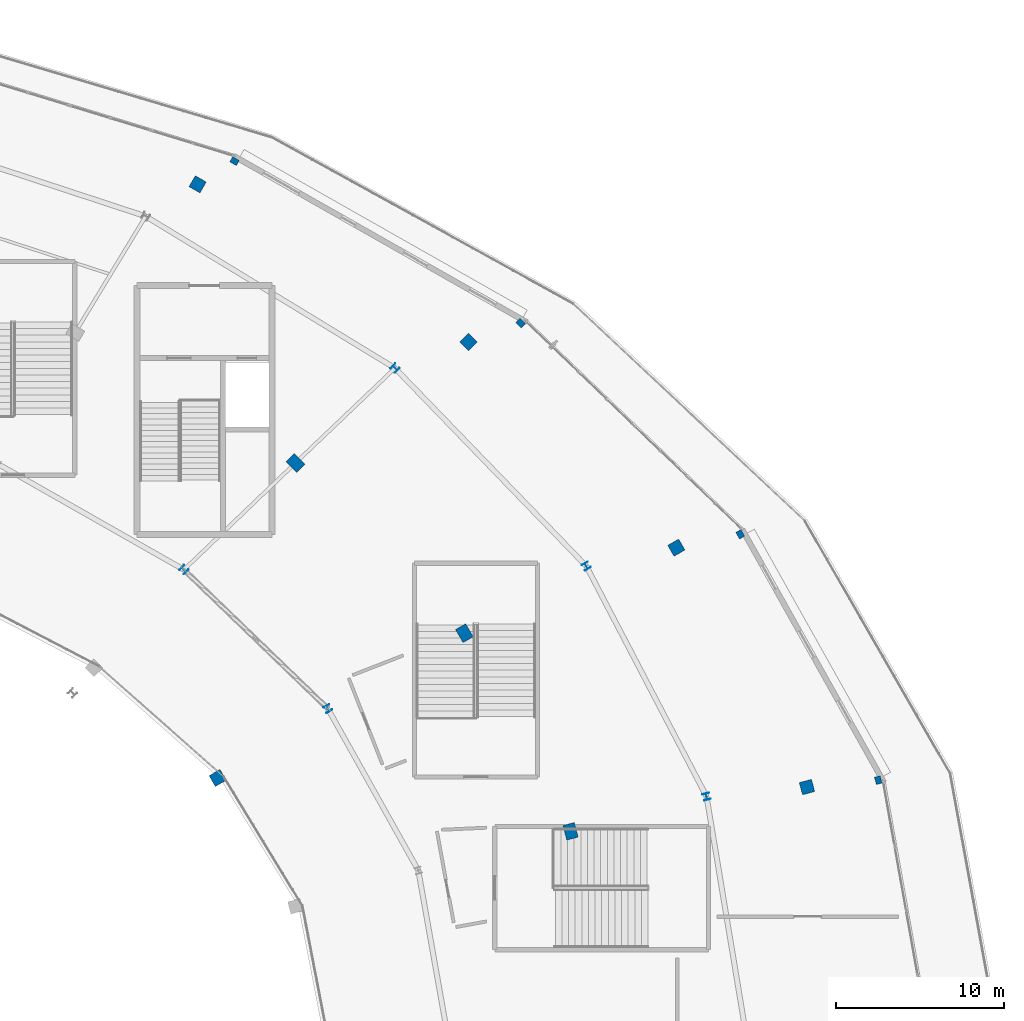
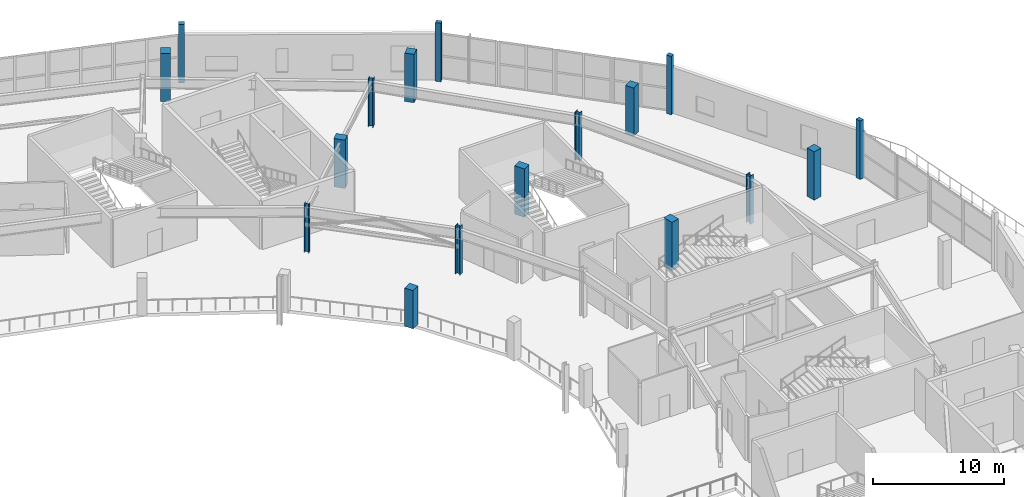
# One storey, part 15 of 123: 17 columns.
"""IFC4 building model written with IfcOpenShell, lengths in metres."""

from ifc_helpers import new_model, si_unit, direction, frame, origin, origin_2d, place, context, subcontext, project, spatial, rectangle, i_section, extrude, material, material_profile, profile_set, type_object, element, save


model = new_model("IFC4")

# Units and contexts
model_context = context("Model", 3, precision=1e-05, world=origin(), true_north=direction((0.0, 1.0)))
body_context = subcontext(model_context, "Body", "Model", "MODEL_VIEW")
ifc_project = project(units=[si_unit("LENGTHUNIT", "METRE"), si_unit("AREAUNIT", "SQUARE_METRE"), si_unit("VOLUMEUNIT", "CUBIC_METRE"), si_unit("PLANEANGLEUNIT", "RADIAN"), si_unit("MASSUNIT", "GRAM", prefix="KILO")], contexts=[model_context])

# Site, building, storey
site_placement = place(None, origin())
site = spatial("IfcSite", under=ifc_project, at=site_placement, CompositionType="ELEMENT")
building_placement = place(site_placement, origin())
building = spatial("IfcBuilding", under=site, at=building_placement, Name="Kalgoora Escarpment Arena", CompositionType="ELEMENT")
storey_placement = place(building_placement, frame((0.0, 0.0, 9.89990234375)))
storey = spatial("IfcBuildingStorey", under=building, at=storey_placement, Name="L02", CompositionType="ELEMENT", Elevation=9.89990234375)

# Columns
ifc_material_1 = material(Name="Structural steel Grade 350 (350 MPa)", Category="steel")
ifc_material_profile_1 = material_profile(ifc_material_1, i_section(OverallWidth=0.39990234375, OverallDepth=0.39990234375, WebThickness=0.01611328125, FlangeThickness=0.028076171875, at=origin_2d()))
ifc_profile_set_1 = profile_set([ifc_material_profile_1], Name="Structural steel Grade 350 (350 MPa)")
column_type_1 = type_object("IfcColumnType", Name="COL-COL-400WC212", PredefinedType="COLUMN", material=ifc_profile_set_1)
for number, where, z_axis, x_axis, name in (
    (1, (161.75341796875, 78.752685546875, 0.0), (0.0, 0.0, 1.0), (0.965925826289, 0.258819045103, 0.0), "L02 structural column COL-RCONC2-R02"),
    (2, (154.58056640625, 92.5, 0.0), (0.0, 0.0, 1.0), (0.866025403784, 0.5, 0.0), "L02 structural column COL-RCONC2-R03"),
    (3, (143.17041015625, 104.30517578125, 0.0), (0.0, 0.0, 1.0), (0.707106781187, 0.707106781187, 0.0), "L02 structural column COL-RCONC2-R04"),
):
    element("IfcColumn", number, at=place(storey_placement, frame(where, z_axis=z_axis, x_axis=x_axis)), inside=storey, type_object=column_type_1, Name=name, PredefinedType="COLUMN", context=body_context, shape_type="SweptSolid", body=[
        extrude(i_section(OverallWidth=0.39990234375, OverallDepth=0.39990234375, WebThickness=0.01611328125, FlangeThickness=0.028076171875, at=origin_2d()), origin(), (0.0, 0.0, 1.0), 4.5),
    ])
ifc_material_2 = material(Name="Structural steel Grade 350 (350 MPa)", Category="steel")
ifc_material_profile_2 = material_profile(ifc_material_2, i_section(OverallWidth=0.39990234375, OverallDepth=0.39990234375, WebThickness=0.01806640625, FlangeThickness=0.031982421875, at=origin_2d()))
ifc_profile_set_2 = profile_set([ifc_material_profile_2], Name="Structural steel Grade 350 (350 MPa)")
column_type_2 = type_object("IfcColumnType", Name="COL-COL-400WC270", PredefinedType="COLUMN", material=ifc_profile_set_2)
for number, where, z_axis, x_axis, name in (
    (4, (139.165283203125, 84.0, 0.0), (0.0, 0.0, 1.0), (0.866025403784, 0.5, 0.0), "L02 structural column COL-RMAIN-R03"),
    (5, (130.583740234375, 92.2841796875, 0.0), (0.0, 0.0, 1.0), (0.707106781187, 0.707106781187, 0.0), "L02 structural column COL-RMAIN-R04"),
):
    element("IfcColumn", number, at=place(storey_placement, frame(where, z_axis=z_axis, x_axis=x_axis)), inside=storey, type_object=column_type_2, Name=name, PredefinedType="COLUMN", context=body_context, shape_type="SweptSolid", body=[
        extrude(i_section(OverallWidth=0.39990234375, OverallDepth=0.39990234375, WebThickness=0.01806640625, FlangeThickness=0.031982421875, at=origin_2d()), origin(), (0.0, 0.0, 1.0), 4.5),
    ])
ifc_material_3 = material(Name="Concrete N50 (fc' 50 MPa)", Category="concrete")
ifc_material_profile_3 = material_profile(ifc_material_3, rectangle(XDim=0.75, YDim=0.75, at=origin_2d()))
ifc_profile_set_3 = profile_set([ifc_material_profile_3], Name="Concrete N50 (fc' 50 MPa)")
column_type_3 = type_object("IfcColumnType", Name="COL-COL-RC750x750", PredefinedType="COLUMN", material=ifc_profile_set_3)
column_placement = place(storey_placement, frame((132.59228515625, 79.860107421875, 0.0), z_axis=(0.0, 0.0, 1.0), x_axis=(0.866025403784, 0.5, 0.0)))
element("IfcColumn", 6, at=column_placement, inside=storey, type_object=column_type_3, Name="L02 structural column COL-RMID-R03", PredefinedType="COLUMN", context=body_context, shape_type="SweptSolid", body=[
    extrude(rectangle(XDim=0.75, YDim=0.75, at=origin_2d()), origin(), (0.0, 0.0, 1.0), 3.546142578125),
])
for number, where, z_axis, x_axis, name in (
    (7, (167.7421875, 79.322021484375, 0.0), (0.0, 0.0, 1.0), (0.965925826289, 0.258819045103, 0.0), "L02 structural column COL-RBASE1-R02"),
    (8, (159.949951171875, 93.60009765625, 0.0), (0.0, 0.0, 1.0), (0.866025403784, 0.5, 0.0), "L02 structural column COL-RBASE1-R03"),
    (9, (147.55419921875, 105.860595703125, 0.0), (0.0, 0.0, 1.0), (0.707106781187, 0.707106781187, 0.0), "L02 structural column COL-RBASE1-R04"),
    (10, (131.39990234375, 115.268798828125, 0.0), (0.0, 0.0, 1.0), (0.5, 0.866025403784, 0.0), "L02 structural column COL-RBASE1-R05"),
):
    element("IfcColumn", number, at=place(storey_placement, frame(where, z_axis=z_axis, x_axis=x_axis)), inside=storey, type_object=column_type_3, Name=name, PredefinedType="COLUMN", context=body_context, shape_type="SweptSolid", body=[
        extrude(rectangle(XDim=0.75, YDim=0.75, at=origin_2d()), origin(), (0.0, 0.0, 1.0), 4.5),
    ])
ifc_material_4 = material(Name="Concrete N50 (fc' 50 MPa)", Category="concrete")
ifc_material_profile_4 = material_profile(ifc_material_4, rectangle(XDim=0.699951171875, YDim=0.89990234375, at=origin_2d()))
ifc_profile_set_4 = profile_set([ifc_material_profile_4], Name="Concrete N50 (fc' 50 MPa)")
column_type_4 = type_object("IfcColumnType", Name="COL-COL-RC900x700", PredefinedType="COLUMN", material=ifc_profile_set_4)
for number, where, z_axis, x_axis, name in (
    (11, (153.6396484375, 76.68212890625, 0.0), (0.0, 0.0, 1.0), (0.965925826289, 0.258819045103, 0.0), "L02 structural column COL-RCONC1-R02"),
    (12, (147.305908203125, 88.5, 0.0), (0.0, 0.0, 1.0), (0.866025403784, 0.5, 0.0), "L02 structural column COL-RCONC1-R03"),
    (13, (137.230712890625, 98.648193359375, 0.0), (0.0, 0.0, 1.0), (0.707106781187, 0.707106781187, 0.0), "L02 structural column COL-RCONC1-R04"),
):
    element("IfcColumn", number, at=place(storey_placement, frame(where, z_axis=z_axis, x_axis=x_axis)), inside=storey, type_object=column_type_4, Name=name, PredefinedType="COLUMN", context=body_context, shape_type="SweptSolid", body=[
        extrude(rectangle(XDim=0.699951171875, YDim=0.89990234375, at=origin_2d()), origin(), (0.0, 0.0, 1.0), 4.5),
    ])
ifc_material_5 = material(Name="Precast concrete N50 (fc' 50 MPa)", Category="concrete")
ifc_material_profile_5 = material_profile(ifc_material_5, rectangle(XDim=0.35009765625, YDim=0.449951171875, at=origin_2d()))
ifc_profile_set_5 = profile_set([ifc_material_profile_5], Name="Precast concrete N50 (fc' 50 MPa)")
column_type_5 = type_object("IfcColumnType", Name="COL-PIL-PC-PILASTER-450x350", PredefinedType="PILASTER", material=ifc_profile_set_5)
for number, where, z_axis, x_axis, name in (
    (14, (171.991943359375, 79.736083984375, 0.0), (0.0, 0.0, 1.0), (0.965925826289, 0.258819045103, 0.0), "L02 fluted pilaster PIL-047"),
    (15, (163.760986328125, 94.39990234375, 0.0), (0.0, 0.0, 1.0), (0.866025403784, 0.5, 0.0), "L02 fluted pilaster PIL-048"),
    (16, (150.666015625, 106.991943359375, 0.0), (0.0, 0.0, 1.0), (0.707106781187, 0.707106781187, 0.0), "L02 fluted pilaster PIL-049"),
    (17, (133.60009765625, 116.654052734375, 0.0), (0.0, 0.0, 1.0), (0.5, 0.866025403784, 0.0), "L02 fluted pilaster PIL-050"),
):
    element("IfcColumn", number, at=place(storey_placement, frame(where, z_axis=z_axis, x_axis=x_axis)), inside=storey, type_object=column_type_5, Name=name, PredefinedType="PILASTER", context=body_context, shape_type="SweptSolid", body=[
        extrude(rectangle(XDim=0.35009765625, YDim=0.449951171875, at=origin_2d()), origin(), (0.0, 0.0, 1.0), 5.4501953125),
    ])

save(model, "model.ifc")
